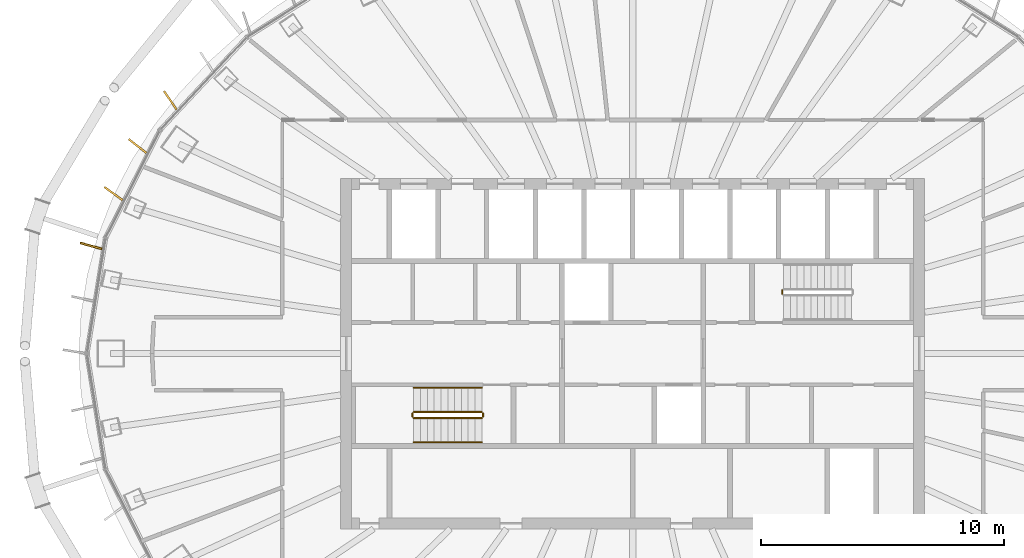
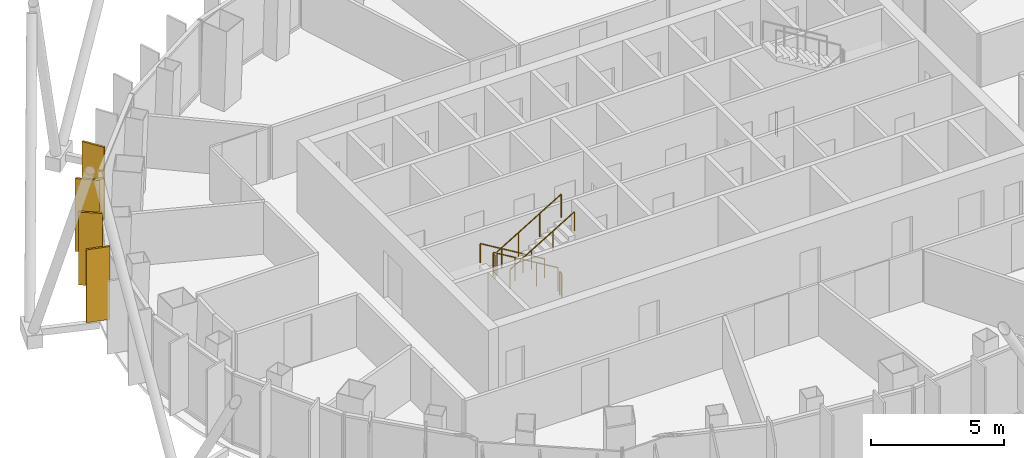
# One storey, part 16 of 18: 7 railings, 4 shading devices.
"""IFC4 building model written with IfcOpenShell, lengths in metres."""

from ifc_helpers import new_model, si_unit, direction, frame, origin, origin_2d, place, context, subcontext, project, spatial, rectangle, circle, extrude, material, layer, layer_set, type_object, element, save


model = new_model("IFC4")

# Units and contexts
model_context = context("Model", 3, precision=1e-05, world=origin(), true_north=direction((0.0, 1.0)))
body_context = subcontext(model_context, "Body", "Model", "MODEL_VIEW")
ifc_project = project(units=[si_unit("LENGTHUNIT", "METRE"), si_unit("AREAUNIT", "SQUARE_METRE"), si_unit("VOLUMEUNIT", "CUBIC_METRE"), si_unit("PLANEANGLEUNIT", "RADIAN"), si_unit("MASSUNIT", "GRAM", prefix="KILO")], contexts=[model_context])

# Site, building, storey
site_placement = place(None, origin())
site = spatial("IfcSite", under=ifc_project, at=site_placement, CompositionType="ELEMENT")
building_placement = place(site_placement, origin())
building = spatial("IfcBuilding", under=site, at=building_placement, Name="Siaravel Broadcast Tower", CompositionType="ELEMENT")
storey_placement = place(building_placement, frame((0.0, 0.0, 201.5)))
storey = spatial("IfcBuildingStorey", under=building, at=storey_placement, Name="L49", CompositionType="ELEMENT", Elevation=201.5)

# Shading devices
ifc_material_1 = material(Name="Bronze anodised aluminium", Category="aluminium")
ifc_layer = layer(ifc_material_1, 0.080078125)
ifc_layer_set = layer_set([ifc_layer], Name="Bronze anodised aluminium")
shading_device_type = type_object("IfcShadingDeviceType", Name="Bronze fin zone 3", PredefinedType="USERDEFINED", material=ifc_layer_set)
for number, where, z_axis, x_axis, name in (
    (1, (-19.001708984375, 10.40869140625, 0.300048828125), (0.0, 0.0, 1.0), (-0.560102694, 0.828423184, 0.0), "Bronze fin L49-25"),
    (2, (-20.347900390625, 8.529296875, 0.300048828125), (0.0, 0.0, 1.0), (-0.787275212, 0.616601768, 0.0), "Bronze fin L49-26"),
    (3, (-21.33837890625, 6.576904296875, 0.300048828125), (0.0, 0.0, 1.0), (-0.810346508, 0.585950968, 0.0), "Bronze fin L49-27"),
    (4, (-22.257080078125, 4.424072265625, 0.300048828125), (0.0, 0.0, 1.0), (-0.963606662, 0.267324149, 0.0), "Bronze fin L49-28"),
):
    element("IfcShadingDevice", number, at=place(storey_placement, frame(where, z_axis=z_axis, x_axis=x_axis)), inside=storey, type_object=shading_device_type, Name=name, ObjectType="FIN", PredefinedType="USERDEFINED", context=body_context, shape_type="SweptSolid", body=[
        extrude(rectangle(XDim=0.919921875, YDim=0.080078125, at=origin_2d()), origin(), (0.0, 0.0, 1.0), 3.35009765625),
    ])

# Railings
ifc_material_2 = material(Name="Stainless steel 316L", Category="steel")
railing_type_1 = type_object("IfcRailingType", Name="Stair guard 1100", PredefinedType="GUARDRAIL", material=ifc_material_2)
railing_1_placement = place(storey_placement, frame((-6.199951171875, -2.39990234375, 0.168212890625)))
element("IfcRailing", 5, at=railing_1_placement, inside=storey, type_object=railing_type_1, Name="L49 ST-1 stair guard 1", PredefinedType="GUARDRAIL", context=body_context, shape_type="SweptSolid", body=[
    extrude(circle(Radius=0.02392578125, at=origin_2d()), frame((0.0, 0.0, 1.076171875), z_axis=(-0.857242211, 0.0, 0.514913383), x_axis=(0.0, -1.0, 0.0)), (0.0, 0.0, 1.0), 3.266357421875),
    extrude(circle(Radius=0.02099609375, at=origin_2d()), origin(), (0.0, 0.0, 1.0), 1.052001953125),
    extrude(circle(Radius=0.02099609375, at=origin_2d()), frame((-0.933349609375, 0.0, 0.560546875)), (0.0, 0.0, 1.0), 1.052001953125),
    extrude(circle(Radius=0.02099609375, at=origin_2d()), frame((-1.86669921875, 0.0, 1.121337890625)), (0.0, 0.0, 1.0), 1.052001953125),
    extrude(circle(Radius=0.02099609375, at=origin_2d()), frame((-2.800048828125, 0.0, 1.681884765625)), (0.0, 0.0, 1.0), 1.052001953125),
])
railing_2_placement = place(storey_placement, frame((-9.050048828125, -2.449951171875, 1.85009765625)))
element("IfcRailing", 6, at=railing_2_placement, inside=storey, type_object=railing_type_1, Name="L49 ST-1 stair guard 2", PredefinedType="GUARDRAIL", context=body_context, shape_type="SweptSolid", body=[
    extrude(circle(Radius=0.02392578125, at=origin_2d()), frame((0.0, 0.0, 1.076171875), z_axis=(0.0, -1.0, 0.0), x_axis=(1.0, 0.0, 0.0)), (0.0, 0.0, 1.0), 0.150146484375),
    extrude(circle(Radius=0.02099609375, at=origin_2d()), origin(), (0.0, 0.0, 1.0), 1.052001953125),
    extrude(circle(Radius=0.02099609375, at=origin_2d()), frame((0.0, -0.150146484375, 0.0)), (0.0, 0.0, 1.0), 1.052001953125),
])
railing_3_placement = place(storey_placement, frame((-9.0, -2.64990234375, 2.01806640625)))
element("IfcRailing", 7, at=railing_3_placement, inside=storey, type_object=railing_type_1, Name="L49 ST-1 stair guard 3", PredefinedType="GUARDRAIL", context=body_context, shape_type="SweptSolid", body=[
    extrude(circle(Radius=0.02392578125, at=origin_2d()), frame((0.0, 0.0, 1.076171875), z_axis=(0.857242211, 0.0, 0.514913383), x_axis=(0.0, 1.0, 0.0)), (0.0, 0.0, 1.0), 3.266357421875),
    extrude(circle(Radius=0.02099609375, at=origin_2d()), origin(), (0.0, 0.0, 1.0), 1.052001953125),
    extrude(circle(Radius=0.02099609375, at=origin_2d()), frame((0.933349609375, 0.0, 0.560546875)), (0.0, 0.0, 1.0), 1.052001953125),
    extrude(circle(Radius=0.02099609375, at=origin_2d()), frame((1.86669921875, 0.0, 1.121337890625)), (0.0, 0.0, 1.0), 1.052001953125),
    extrude(circle(Radius=0.02099609375, at=origin_2d()), frame((2.800048828125, 0.0, 1.681884765625)), (0.0, 0.0, 1.0), 1.052001953125),
])
railing_4_placement = place(storey_placement, frame((-6.14990234375, -2.449951171875, 0.0)))
element("IfcRailing", 8, at=railing_4_placement, inside=storey, type_object=railing_type_1, Name="L49 ST-1 stair guard 4", PredefinedType="GUARDRAIL", context=body_context, shape_type="SweptSolid", body=[
    extrude(circle(Radius=0.02392578125, at=origin_2d()), frame((0.0, 0.0, 1.076171875), z_axis=(0.0, -1.0, 0.0), x_axis=(1.0, 0.0, 0.0)), (0.0, 0.0, 1.0), 0.150146484375),
    extrude(circle(Radius=0.02099609375, at=origin_2d()), origin(), (0.0, 0.0, 1.0), 1.052001953125),
    extrude(circle(Radius=0.02099609375, at=origin_2d()), frame((0.0, -0.150146484375, 0.0)), (0.0, 0.0, 1.0), 1.052001953125),
])
railing_5_placement = place(storey_placement, frame((6.14990234375, 2.449951171875, 0.0)))
element("IfcRailing", 9, at=railing_5_placement, inside=storey, type_object=railing_type_1, Name="L49 ST-2 stair guard 4", PredefinedType="GUARDRAIL", context=body_context, shape_type="SweptSolid", body=[
    extrude(circle(Radius=0.02392578125, at=origin_2d()), frame((0.0, 0.0, 1.076171875), z_axis=(0.0, 1.0, 0.0), x_axis=(-1.0, 0.0, 0.0)), (0.0, 0.0, 1.0), 0.150146484375),
    extrude(circle(Radius=0.02099609375, at=origin_2d()), origin(), (0.0, 0.0, 1.0), 1.052001953125),
    extrude(circle(Radius=0.02099609375, at=origin_2d()), frame((0.0, 0.150146484375, 0.0)), (0.0, 0.0, 1.0), 1.052001953125),
])
railing_type_2 = type_object("IfcRailingType", Name="Stair handrail 900", PredefinedType="HANDRAIL", material=ifc_material_2)
railing_6_placement = place(storey_placement, frame((-6.199951171875, -1.39990234375, 0.168212890625)))
element("IfcRailing", 10, at=railing_6_placement, inside=storey, type_object=railing_type_2, Name="L49 ST-1 stair handrail 1", PredefinedType="HANDRAIL", context=body_context, shape_type="SweptSolid", body=[
    extrude(circle(Radius=0.02392578125, at=origin_2d()), frame((0.0, 0.0, 0.8759765625), z_axis=(-0.857242211, 0.0, 0.514913383), x_axis=(0.0, -1.0, 0.0)), (0.0, 0.0, 1.0), 3.266357421875),
    extrude(circle(Radius=0.02099609375, at=origin_2d()), origin(), (0.0, 0.0, 1.0), 0.851806640625),
    extrude(circle(Radius=0.02099609375, at=origin_2d()), frame((-0.933349609375, 0.0, 0.560546875)), (0.0, 0.0, 1.0), 0.851806640625),
    extrude(circle(Radius=0.02099609375, at=origin_2d()), frame((-1.86669921875, 0.0, 1.121337890625)), (0.0, 0.0, 1.0), 0.851806640625),
    extrude(circle(Radius=0.02099609375, at=origin_2d()), frame((-2.800048828125, 0.0, 1.681884765625)), (0.0, 0.0, 1.0), 0.851806640625),
])
railing_7_placement = place(storey_placement, frame((-9.0, -3.64990234375, 2.01806640625)))
element("IfcRailing", 11, at=railing_7_placement, inside=storey, type_object=railing_type_2, Name="L49 ST-1 stair handrail 2", PredefinedType="HANDRAIL", context=body_context, shape_type="SweptSolid", body=[
    extrude(circle(Radius=0.02392578125, at=origin_2d()), frame((0.0, 0.0, 0.8759765625), z_axis=(0.857242211, 0.0, 0.514913383), x_axis=(0.0, 1.0, 0.0)), (0.0, 0.0, 1.0), 3.266357421875),
    extrude(circle(Radius=0.02099609375, at=origin_2d()), origin(), (0.0, 0.0, 1.0), 0.851806640625),
    extrude(circle(Radius=0.02099609375, at=origin_2d()), frame((0.933349609375, 0.0, 0.560546875)), (0.0, 0.0, 1.0), 0.851806640625),
    extrude(circle(Radius=0.02099609375, at=origin_2d()), frame((1.86669921875, 0.0, 1.121337890625)), (0.0, 0.0, 1.0), 0.851806640625),
    extrude(circle(Radius=0.02099609375, at=origin_2d()), frame((2.800048828125, 0.0, 1.681884765625)), (0.0, 0.0, 1.0), 0.851806640625),
])

save(model, "model.ifc")
